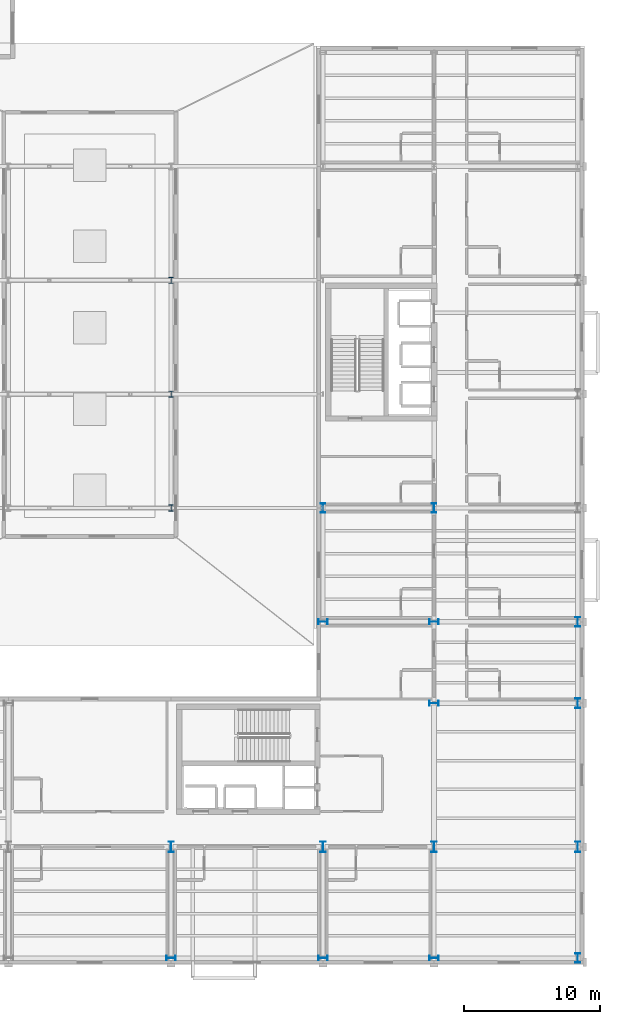
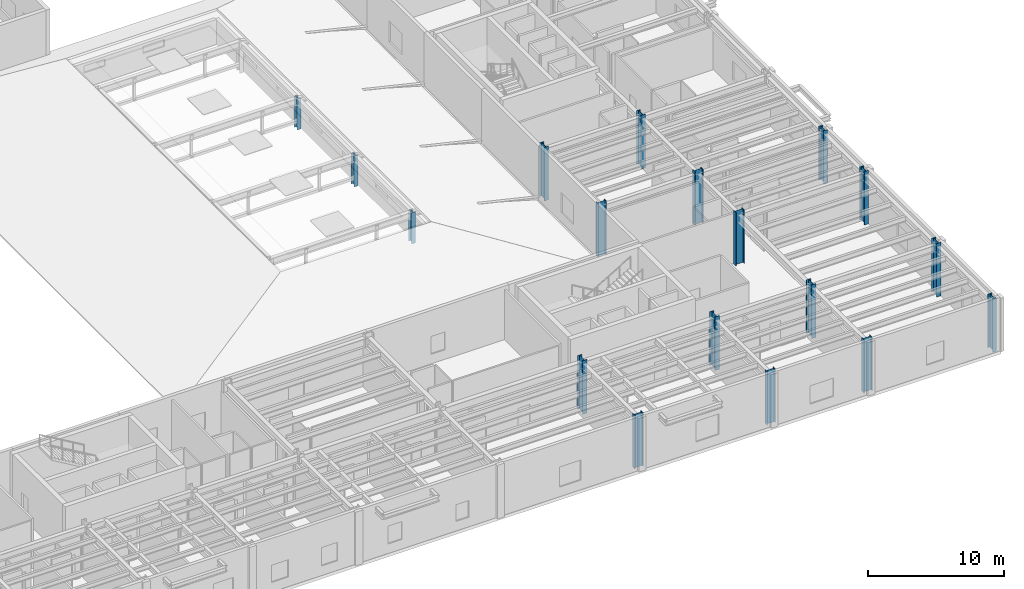
# One storey, part 14 of 91: 18 columns.
"""IFC4 building model written with IfcOpenShell, lengths in metres."""

from ifc_helpers import new_model, si_unit, direction, frame, origin, origin_2d, place, context, subcontext, project, spatial, i_section, extrude, material, material_profile, profile_set, type_object, element, save


model = new_model("IFC4")

# Units and contexts
model_context = context("Model", 3, precision=1e-05, world=origin(), true_north=direction((0.0, 1.0)))
body_context = subcontext(model_context, "Body", "Model", "MODEL_VIEW")
ifc_project = project(units=[si_unit("LENGTHUNIT", "METRE"), si_unit("AREAUNIT", "SQUARE_METRE"), si_unit("VOLUMEUNIT", "CUBIC_METRE"), si_unit("PLANEANGLEUNIT", "RADIAN"), si_unit("MASSUNIT", "GRAM", prefix="KILO")], contexts=[model_context])

# Site, building, storey
site_placement = place(None, origin())
site = spatial("IfcSite", under=ifc_project, at=site_placement, CompositionType="ELEMENT")
building_placement = place(site_placement, origin())
building = spatial("IfcBuilding", under=site, at=building_placement, Name="Sollismere Congress Hotel", CompositionType="ELEMENT")
storey_placement = place(building_placement, frame((0.0, 0.0, 10.800048828125)))
storey = spatial("IfcBuildingStorey", under=building, at=storey_placement, Name="L02", CompositionType="ELEMENT", Elevation=10.800048828125)

# Columns
ifc_material = material(Name="Steel ASTM A992 Grade 50", Category="steel")
ifc_material_profile_1 = material_profile(ifc_material, i_section(OverallWidth=0.330078125, OverallDepth=0.4599609375, WebThickness=0.016357421875, FlangeThickness=0.026123046875, at=origin_2d()), Name="W14X132")
ifc_profile_set_1 = profile_set([ifc_material_profile_1], Name="Steel ASTM A992 Grade 50")
column_type_1 = type_object("IfcColumnType", Name="COL-W14H", PredefinedType="COLUMN", material=ifc_profile_set_1)
for number, where, z_axis, x_axis, name in (
    (1, (136.0, 33.199951171875, 0.0), (0.0, 0.0, 1.0), (1.0, 0.0, 0.0), "Column CL-L02-759"),
    (2, (136.0, 41.60009765625, 0.0), (0.0, 0.0, 1.0), (1.0, 0.0, 0.0), "Column CL-L02-763"),
    (3, (136.0, 50.0, 0.0), (0.0, 0.0, 1.0), (1.0, 0.0, 0.0), "Column CL-L02-767"),
):
    element("IfcColumn", number, at=place(storey_placement, frame(where, z_axis=z_axis, x_axis=x_axis)), inside=storey, type_object=column_type_1, Name=name, PredefinedType="COLUMN", context=body_context, shape_type="SweptSolid", body=[
        extrude(i_section(OverallWidth=0.330078125, OverallDepth=0.4599609375, WebThickness=0.016357421875, FlangeThickness=0.026123046875, at=origin_2d()), origin(), (0.0, 0.0, 1.0), 2.780029296875),
    ])
ifc_material_profile_2 = material_profile(ifc_material, i_section(OverallWidth=0.35595703125, OverallDepth=0.714111328125, WebThickness=0.01904296875, FlangeThickness=0.033935546875, at=origin_2d()), Name="W27X194")
ifc_profile_set_2 = profile_set([ifc_material_profile_2], Name="Steel ASTM A992 Grade 50")
column_type_2 = type_object("IfcColumnType", Name="COL-W27", PredefinedType="COLUMN", material=ifc_profile_set_2)
for number, where, z_axis, x_axis, name in (
    (4, (136.0, 0.0, 0.0), (0.0, 0.0, 1.0), (0.0, 1.0, 0.0), "Column CL-L02-730"),
    (5, (147.199951171875, 0.0, 0.0), (0.0, 0.0, 1.0), (0.0, 1.0, 0.0), "Column CL-L02-783"),
    (6, (147.199951171875, 24.800048828125, 0.0), (0.0, 0.0, 1.0), (0.0, 1.0, 0.0), "Column CL-L02-809"),
    (7, (147.199951171875, 33.199951171875, 0.0), (0.0, 0.0, 1.0), (1.0, 0.0, 0.0), "Column CL-L02-822"),
    (8, (155.39990234375, 0.0, 0.0), (0.0, 0.0, 1.0), (0.0, 1.0, 0.0), "Column CL-L02-858"),
    (9, (155.39990234375, 18.800048828125, 0.0), (0.0, 0.0, 1.0), (0.0, 1.0, 0.0), "Column CL-L02-884"),
    (10, (155.39990234375, 24.800048828125, 0.0), (0.0, 0.0, 1.0), (0.0, 1.0, 0.0), "Column CL-L02-897"),
    (11, (155.39990234375, 33.199951171875, 0.0), (0.0, 0.0, 1.0), (1.0, 0.0, 0.0), "Column CL-L02-910"),
    (12, (166.0, 0.0, 0.0), (0.0, 0.0, 1.0), (1.0, 0.0, 0.0), "Column CL-L02-946"),
    (13, (166.0, 18.800048828125, 0.0), (0.0, 0.0, 1.0), (1.0, 0.0, 0.0), "Column CL-L02-972"),
    (14, (166.0, 24.800048828125, 0.0), (0.0, 0.0, 1.0), (1.0, 0.0, 0.0), "Column CL-L02-985"),
):
    element("IfcColumn", number, at=place(storey_placement, frame(where, z_axis=z_axis, x_axis=x_axis)), inside=storey, type_object=column_type_2, Name=name, PredefinedType="COLUMN", context=body_context, shape_type="SweptSolid", body=[
        extrude(i_section(OverallWidth=0.35595703125, OverallDepth=0.714111328125, WebThickness=0.01904296875, FlangeThickness=0.033935546875, at=origin_2d()), origin(), (0.0, 0.0, 1.0), 4.800048828125),
    ])
ifc_material_profile_3 = material_profile(ifc_material, i_section(OverallWidth=0.384033203125, OverallDepth=0.787109375, WebThickness=0.019775390625, FlangeThickness=0.033447265625, at=origin_2d()), Name="W30X211")
ifc_profile_set_3 = profile_set([ifc_material_profile_3], Name="Steel ASTM A992 Grade 50")
column_type_3 = type_object("IfcColumnType", Name="COL-W30", PredefinedType="COLUMN", material=ifc_profile_set_3)
for number, where, z_axis, x_axis, name in (
    (15, (136.0, 8.199951171875, 0.0), (0.0, 0.0, 1.0), (1.0, 0.0, 0.0), "Column CL-L02-743"),
    (16, (147.199951171875, 8.199951171875, 0.0), (0.0, 0.0, 1.0), (1.0, 0.0, 0.0), "Column CL-L02-796"),
    (17, (155.39990234375, 8.199951171875, 0.0), (0.0, 0.0, 1.0), (1.0, 0.0, 0.0), "Column CL-L02-871"),
    (18, (166.0, 8.199951171875, 0.0), (0.0, 0.0, 1.0), (1.0, 0.0, 0.0), "Column CL-L02-959"),
):
    element("IfcColumn", number, at=place(storey_placement, frame(where, z_axis=z_axis, x_axis=x_axis)), inside=storey, type_object=column_type_3, Name=name, PredefinedType="COLUMN", context=body_context, shape_type="SweptSolid", body=[
        extrude(i_section(OverallWidth=0.384033203125, OverallDepth=0.787109375, WebThickness=0.019775390625, FlangeThickness=0.033447265625, at=origin_2d()), origin(), (0.0, 0.0, 1.0), 4.800048828125),
    ])

save(model, "model.ifc")
